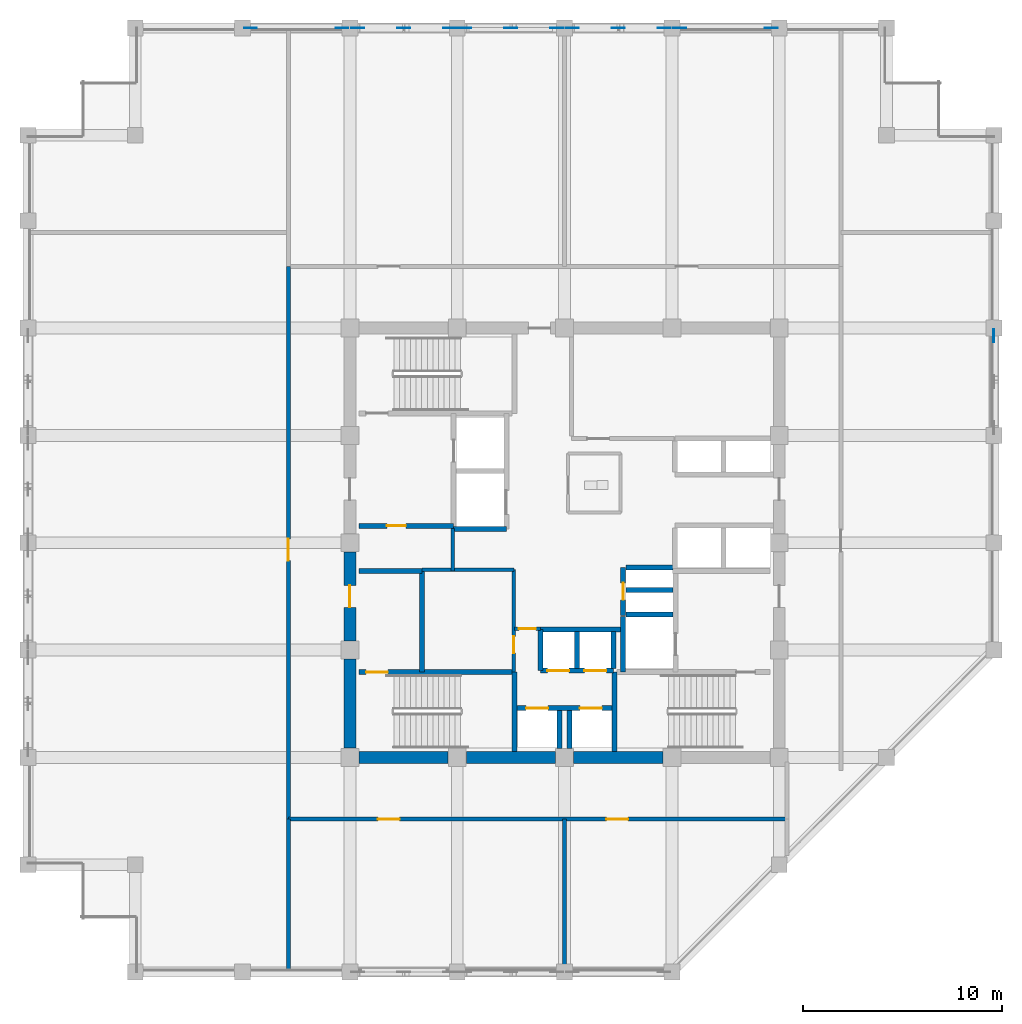
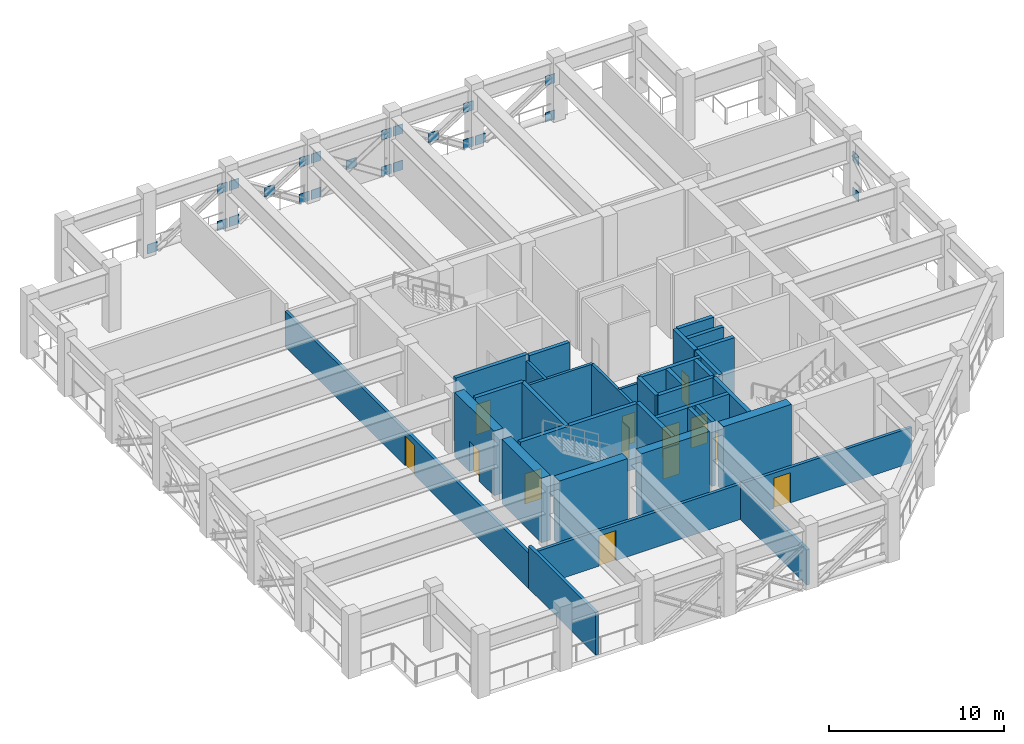
# One storey, part 4 of 11: 33 walls, 23 plates, 13 doors, 13 openings.
"""IFC4 building model written with IfcOpenShell, lengths in metres."""

from ifc_helpers import new_model, si_unit, direction, frame, frame_2d, origin, origin_2d, place, context, subcontext, project, spatial, rectangle, extrude, material, layer, layer_set, type_object, element, fill, save


model = new_model("IFC4")

# Units and contexts
model_context = context("Model", 3, precision=1e-05, world=origin(), true_north=direction((0.0, 1.0)))
body_context = subcontext(model_context, "Body", "Model", "MODEL_VIEW")
ifc_project = project(units=[si_unit("LENGTHUNIT", "METRE"), si_unit("AREAUNIT", "SQUARE_METRE"), si_unit("VOLUMEUNIT", "CUBIC_METRE"), si_unit("PLANEANGLEUNIT", "RADIAN"), si_unit("MASSUNIT", "GRAM", prefix="KILO")], contexts=[model_context])

# Site, building, storey
site_placement = place(None, origin())
site = spatial("IfcSite", under=ifc_project, at=site_placement, CompositionType="ELEMENT")
building_placement = place(site_placement, origin())
building = spatial("IfcBuilding", under=site, at=building_placement, Name="Surkhivell Harbour Commons", CompositionType="ELEMENT")
storey_placement = place(building_placement, frame((0.0, 0.0, 254.25)))
storey = spatial("IfcBuildingStorey", under=building, at=storey_placement, Name="L66", CompositionType="ELEMENT", Elevation=254.25)

# Plates
ifc_material_1 = material(Name="Steel S460", Category="steel")
ifc_layer_1 = layer(ifc_material_1, 0.044921875)
ifc_layer_set_1 = layer_set([ifc_layer_1], Name="Steel S460")
plate_type = type_object("IfcPlateType", Name="PLT-GUS-650", PredefinedType="USERDEFINED", material=ifc_layer_set_1)
for number, where, z_axis, x_axis, name in (
    (1, (-5.014892578125, 25.89990234375, -0.08935546875), (0.0, 0.0, 1.0), (1.0, 0.0, 0.0), "L66 Belt-Truss Diagonal BT- Corner Gusset BN1-1"),
    (2, (-0.385009765625, 25.89990234375, -0.08935546875), (0.0, 0.0, 1.0), (1.0, 0.0, 0.0), "L66 Belt-Truss Diagonal BT- Corner Gusset BN1-2"),
    (3, (-5.014892578125, 25.89990234375, 2.431640625), (0.0, 0.0, 1.0), (1.0, 0.0, 0.0), "L66 Belt-Truss Diagonal BT- Corner Gusset BN1-3"),
    (4, (-0.385009765625, 25.89990234375, 2.431640625), (0.0, 0.0, 1.0), (1.0, 0.0, 0.0), "L66 Belt-Truss Diagonal BT- Corner Gusset BN1-4"),
    (5, (-2.699951171875, 25.89990234375, 1.171142578125), (0.0, 0.0, 1.0), (1.0, 0.0, 0.0), "L66 Belt-Truss Diagonal BT- Central Crossing Gusset BN1"),
    (6, (0.385009765625, 25.89990234375, -0.08935546875), (0.0, 0.0, 1.0), (1.0, 0.0, 0.0), "L66 Belt-Truss Diagonal BT- Corner Gusset BN2-1"),
    (7, (5.014892578125, 25.89990234375, -0.08935546875), (0.0, 0.0, 1.0), (1.0, 0.0, 0.0), "L66 Belt-Truss Diagonal BT- Corner Gusset BN2-2"),
    (8, (0.385009765625, 25.89990234375, 2.431640625), (0.0, 0.0, 1.0), (1.0, 0.0, 0.0), "L66 Belt-Truss Diagonal BT- Corner Gusset BN2-3"),
    (9, (5.014892578125, 25.89990234375, 2.431640625), (0.0, 0.0, 1.0), (1.0, 0.0, 0.0), "L66 Belt-Truss Diagonal BT- Corner Gusset BN2-4"),
    (10, (2.699951171875, 25.89990234375, 1.171142578125), (0.0, 0.0, 1.0), (1.0, 0.0, 0.0), "L66 Belt-Truss Diagonal BT- Central Crossing Gusset BN2"),
    (11, (21.60009765625, 10.4150390625, -0.08935546875), (0.0, 0.0, 1.0), (0.0, 1.0, 0.0), "L66 Belt-Truss Diagonal BT- Corner Gusset BE1-2"),
    (12, (21.60009765625, 10.4150390625, 2.431640625), (0.0, 0.0, 1.0), (0.0, 1.0, 0.0), "L66 Belt-Truss Diagonal BT- Corner Gusset BE1-4"),
    (13, (-10.4150390625, 25.89990234375, -0.08935546875), (0.0, 0.0, 1.0), (1.0, 0.0, 0.0), "L66 Belt-Truss Diagonal BT- Corner Gusset BN3-1"),
    (14, (-5.784912109375, 25.89990234375, -0.08935546875), (0.0, 0.0, 1.0), (1.0, 0.0, 0.0), "L66 Belt-Truss Diagonal BT- Corner Gusset BN3-2"),
    (15, (-10.4150390625, 25.89990234375, 2.431640625), (0.0, 0.0, 1.0), (1.0, 0.0, 0.0), "L66 Belt-Truss Diagonal BT- Corner Gusset BN3-3"),
    (16, (-5.784912109375, 25.89990234375, 2.431640625), (0.0, 0.0, 1.0), (1.0, 0.0, 0.0), "L66 Belt-Truss Diagonal BT- Corner Gusset BN3-4"),
    (17, (-8.10009765625, 25.89990234375, 1.171142578125), (0.0, 0.0, 1.0), (1.0, 0.0, 0.0), "L66 Belt-Truss Diagonal BT- Central Crossing Gusset BN3"),
    (18, (-15.802001953125, 25.89990234375, -0.094970703125), (0.0, 0.0, 1.0), (1.0, 0.0, 0.0), "L66 Outrigger Node Gusset Plate GP-02-1"),
    (19, (-11.197998046875, 25.89990234375, -0.094970703125), (0.0, 0.0, 1.0), (1.0, 0.0, 0.0), "L66 Outrigger Node Gusset Plate GP-02-2"),
    (20, (-11.197998046875, 25.89990234375, 2.441162109375), (0.0, 0.0, 1.0), (1.0, 0.0, 0.0), "L66 Outrigger Top Gusset Plate GP-02-3"),
    (21, (5.798095703125, 25.89990234375, -0.094970703125), (0.0, 0.0, 1.0), (1.0, 0.0, 0.0), "L66 Outrigger Node Gusset Plate GP-04-1"),
    (22, (10.402099609375, 25.89990234375, -0.094970703125), (0.0, 0.0, 1.0), (1.0, 0.0, 0.0), "L66 Outrigger Node Gusset Plate GP-04-2"),
    (23, (10.402099609375, 25.89990234375, 2.441162109375), (0.0, 0.0, 1.0), (1.0, 0.0, 0.0), "L66 Outrigger Top Gusset Plate GP-04-3"),
):
    element("IfcPlate", number, at=place(storey_placement, frame(where, z_axis=z_axis, x_axis=x_axis)), inside=storey, type_object=plate_type, Name=name, ObjectType="GUSSET_PLATE", PredefinedType="USERDEFINED", context=body_context, shape_type="SweptSolid", body=[
        extrude(rectangle(XDim=0.64990234375, YDim=0.044921875, at=origin_2d()), origin(), (0.0, 0.0, 1.0), 0.64990234375),
    ])

# Walls
ifc_material_2 = material(Name="Concrete C60/75", Category="concrete")
ifc_layer_2 = layer(ifc_material_2, 0.60009765625)
ifc_layer_set_2 = layer_set([ifc_layer_2], Name="Concrete C60/75")
wall_type_1 = type_object("IfcWallType", Name="WAL-CORE-600", PredefinedType="SHEAR", material=ifc_layer_set_2)
for number, where, z_axis, x_axis, name in (
    (24, (-10.340087890625, -10.800048828125, 0.0), (0.0, 0.0, 1.0), (1.0, 0.0, 0.0), "L66 Core Shear Wall South 1"),
    (25, (-10.800048828125, -10.340087890625, 0.0), (0.0, 0.0, 1.0), (0.0, 1.0, 0.0), "L66 Core Shear Wall West 1"),
    (26, (-4.93994140625, -10.800048828125, 0.0), (0.0, 0.0, 1.0), (1.0, 0.0, 0.0), "L66 Core Shear Wall South 2"),
):
    element("IfcWall", number, at=place(storey_placement, frame(where, z_axis=z_axis, x_axis=x_axis)), inside=storey, type_object=wall_type_1, Name=name, PredefinedType="SHEAR", context=body_context, shape_type="SweptSolid", body=[
        extrude(rectangle(XDim=4.47998046875, YDim=0.60009765625, at=frame_2d((2.239990234375, 0.0))), origin(), (0.0, 0.0, 1.0), 4.5),
    ])

# Wall, opening, door
wall_1_placement = place(storey_placement, frame((-10.800048828125, -4.93994140625, 0.0), z_axis=(0.0, 0.0, 1.0), x_axis=(0.0, 1.0, 0.0)))
wall_1 = element("IfcWall", 27, at=wall_1_placement, inside=storey, type_object=wall_type_1, Name="L66 Core Shear Wall West 2", PredefinedType="SHEAR", context=body_context, shape_type="SweptSolid", body=[
    extrude(rectangle(XDim=4.47998046875, YDim=0.60009765625, at=frame_2d((2.239990234375, 0.0))), origin(), (0.0, 0.0, 1.0), 4.5),
])
opening_1_placement = place(wall_1_placement, frame((1.68994140625, 0.0, 0.0)))
opening_1 = element("IfcOpeningElement", 28, at=opening_1_placement, cuts=wall_1, Name="Opening ID-2", PredefinedType="OPENING", context=body_context, shape_type="SweptSolid", body=[
    extrude(rectangle(XDim=1.10009765625, YDim=2.10009765625, at=frame_2d((0.550048828125, 1.050048828125))), frame((0.0, 0.31005859375, 0.0), z_axis=(0.0, -1.0, 0.0), x_axis=(1.0, 0.0, 0.0)), (0.0, 0.0, 1.0), 0.6201171875),
])
ifc_material_3 = material(Name="Hardwood-veneered fire-rated door leaf", Category="wood")
door_type_1 = type_object("IfcDoorType", Name="DOR-FD60-1100", OperationType="NOTDEFINED", PredefinedType="DOOR", material=ifc_material_3)
door_1_placement = place(opening_1_placement, origin())
door_1 = element("IfcDoor", 29, at=door_1_placement, inside=storey, type_object=door_type_1, Name="L66 Stair 3 Lobby Corridor Door", OperationType="SINGLE_SWING_LEFT", OverallHeight=2.10009765625, OverallWidth=1.10009765625, PredefinedType="DOOR", context=body_context, shape_type="SweptSolid", body=[
    extrude(rectangle(XDim=1.10009765625, YDim=2.10009765625, at=frame_2d((0.550048828125, 1.050048828125))), frame((0.0, 0.02490234375, 0.0), z_axis=(0.0, -1.0, 0.0), x_axis=(1.0, 0.0, 0.0)), (0.0, 0.0, 1.0), 0.050048828125),
])
fill(opening_1, door_1)

# Wall
wall_2_placement = place(storey_placement, frame((0.4599609375, -10.800048828125, 0.0), z_axis=(0.0, 0.0, 1.0), x_axis=(1.0, 0.0, 0.0)))
element("IfcWall", 30, at=wall_2_placement, inside=storey, type_object=wall_type_1, Name="L66 Core Shear Wall South 3", PredefinedType="SHEAR", context=body_context, shape_type="SweptSolid", body=[
    extrude(rectangle(XDim=4.47998046875, YDim=0.60009765625, at=frame_2d((2.239990234375, 0.0))), origin(), (0.0, 0.0, 1.0), 4.5),
])

# Wall, opening, door
ifc_material_4 = material(Name="High-density acoustic blockwork fire partition", Category="masonry")
ifc_layer_3 = layer(ifc_material_4, 0.175048828125)
ifc_layer_set_3 = layer_set([ifc_layer_3], Name="High-density acoustic blockwork fire partition")
wall_type_2 = type_object("IfcWallType", Name="WAL-INT-175", PredefinedType="PARTITIONING", material=ifc_layer_set_3)
wall_3_placement = place(storey_placement, frame((-2.550048828125, -6.510009765625, 0.0), z_axis=(0.0, 0.0, 1.0), x_axis=(0.0, 1.0, 0.0)))
wall_3 = element("IfcWall", 31, at=wall_3_placement, inside=storey, type_object=wall_type_2, Name="L66 Core Service Bay East Wall", PredefinedType="PARTITIONING", context=body_context, shape_type="SweptSolid", body=[
    extrude(rectangle(XDim=5.159912109375, YDim=0.175048828125, at=frame_2d((2.580078125, 0.0))), origin(), (0.0, 0.0, 1.0), 4.080078125),
])
opening_2_placement = place(wall_3_placement, frame((0.949951171875, 0.0, 0.0)))
opening_2 = element("IfcOpeningElement", 32, at=opening_2_placement, cuts=wall_3, Name="Opening ID-6", PredefinedType="OPENING", context=body_context, shape_type="SweptSolid", body=[
    extrude(rectangle(XDim=0.85009765625, YDim=2.10009765625, at=frame_2d((0.425048828125, 1.050048828125))), frame((0.0, 0.097412109375, 0.0), z_axis=(0.0, -1.0, 0.0), x_axis=(1.0, 0.0, 0.0)), (0.0, 0.0, 1.0), 0.195068359375),
])
door_type_2 = type_object("IfcDoorType", Name="DOR-FD30-850", OperationType="NOTDEFINED", PredefinedType="DOOR", material=ifc_material_3)
door_2_placement = place(opening_2_placement, origin())
door_2 = element("IfcDoor", 33, at=door_2_placement, inside=storey, type_object=door_type_2, Name="L66 Core Metering Door", OperationType="SINGLE_SWING_LEFT", OverallHeight=2.10009765625, OverallWidth=0.85009765625, PredefinedType="DOOR", context=body_context, shape_type="SweptSolid", body=[
    extrude(rectangle(XDim=0.85009765625, YDim=2.10009765625, at=frame_2d((0.425048828125, 1.050048828125))), frame((0.0, 0.02490234375, 0.0), z_axis=(0.0, -1.0, 0.0), x_axis=(1.0, 0.0, 0.0)), (0.0, 0.0, 1.0), 0.050048828125),
])
fill(opening_2, door_2)

# Walls
wall_4_placement = place(storey_placement, frame((-7.179931640625, -1.35009765625, 0.0), z_axis=(0.0, 0.0, 1.0), x_axis=(1.0, 0.0, 0.0)))
element("IfcWall", 34, at=wall_4_placement, inside=storey, type_object=wall_type_2, Name="L66 Core Service Bay North Wall", PredefinedType="PARTITIONING", context=body_context, shape_type="SweptSolid", body=[
    extrude(rectangle(XDim=4.6298828125, YDim=0.175048828125, at=frame_2d((2.31494140625, 0.0))), origin(), (0.0, 0.0, 1.0), 4.080078125),
])
wall_5_placement = place(storey_placement, frame((-5.6201171875, -1.419921875, 0.0), z_axis=(0.0, 0.0, 1.0), x_axis=(0.0, 1.0, 0.0)))
element("IfcWall", 35, at=wall_5_placement, inside=storey, type_object=wall_type_2, Name="L66 West Core Bay East Wall", PredefinedType="PARTITIONING", context=body_context, shape_type="SweptSolid", body=[
    extrude(rectangle(XDim=2.139892578125, YDim=0.175048828125, at=frame_2d((1.06982421875, 0.0))), origin(), (0.0, 0.0, 1.0), 4.080078125),
])

# Wall, opening, door
wall_6_placement = place(storey_placement, frame((-2.52001953125, -4.320068359375, 0.0), z_axis=(0.0, 0.0, 1.0), x_axis=(1.0, 0.0, 0.0)))
wall_6 = element("IfcWall", 36, at=wall_6_placement, inside=storey, type_object=wall_type_2, Name="L66 High-Rise Lobby North Portal Wall", PredefinedType="PARTITIONING", context=body_context, shape_type="SweptSolid", body=[
    extrude(rectangle(XDim=1.300048828125, YDim=0.175048828125, at=frame_2d((0.64990234375, 0.0))), origin(), (0.0, 0.0, 1.0), 4.080078125),
])
opening_3_placement = place(wall_6_placement, frame((0.219970703125, 0.0, 0.0)))
opening_3 = element("IfcOpeningElement", 37, at=opening_3_placement, cuts=wall_6, Name="Opening ID-6", PredefinedType="OPENING", context=body_context, shape_type="SweptSolid", body=[
    extrude(rectangle(XDim=0.85009765625, YDim=2.10009765625, at=frame_2d((0.425048828125, 1.050048828125))), frame((0.0, 0.097412109375, 0.0), z_axis=(0.0, -1.0, 0.0), x_axis=(1.0, 0.0, 0.0)), (0.0, 0.0, 1.0), 0.195068359375),
])
door_3_placement = place(opening_3_placement, origin())
door_3 = element("IfcDoor", 38, at=door_3_placement, inside=storey, type_object=door_type_2, Name="L66 High-Rise Lift Lobby North Door", OperationType="SINGLE_SWING_LEFT", OverallHeight=2.10009765625, OverallWidth=0.85009765625, PredefinedType="DOOR", context=body_context, shape_type="SweptSolid", body=[
    extrude(rectangle(XDim=0.85009765625, YDim=2.10009765625, at=frame_2d((0.425048828125, 1.050048828125))), frame((0.0, 0.02490234375, 0.0), z_axis=(0.0, -1.0, 0.0), x_axis=(1.0, 0.0, 0.0)), (0.0, 0.0, 1.0), 0.050048828125),
])
fill(opening_3, door_3)

# Wall
ifc_material_5 = material(Name="Autoclaved aerated concrete blockwork and fire plaster", Category="masonry")
ifc_layer_4 = layer(ifc_material_5, 0.199951171875)
ifc_layer_set_4 = layer_set([ifc_layer_4], Name="Autoclaved aerated concrete blockwork and fire plaster")
wall_type_3 = type_object("IfcWallType", Name="WAL-INT-200", PredefinedType="PARTITIONING", material=ifc_layer_set_4)
wall_7_placement = place(storey_placement, frame((0.0, -21.56005859375, 0.0), z_axis=(0.0, 0.0, 1.0), x_axis=(0.0, 1.0, 0.0)))
element("IfcWall", 39, at=wall_7_placement, inside=storey, type_object=wall_type_3, Name="L66 Refuge South Plant Divider", PredefinedType="PARTITIONING", context=body_context, shape_type="SweptSolid", body=[
    extrude(rectangle(XDim=7.66015625, YDim=0.199951171875, at=frame_2d((3.830078125, 0.0))), origin(), (0.0, 0.0, 1.0), 2.4599609375),
])

# Wall, openings, doors
wall_8_placement = place(storey_placement, frame((-13.89990234375, -13.89990234375, 0.0), z_axis=(0.0, 0.0, 1.0), x_axis=(1.0, 0.0, 0.0)))
wall_8 = element("IfcWall", 40, at=wall_8_placement, inside=storey, type_object=wall_type_3, Name="L66 Corridor South Wall", PredefinedType="PARTITIONING", context=body_context, shape_type="SweptSolid", body=[
    extrude(rectangle(XDim=25.099853515625, YDim=0.199951171875, at=frame_2d((12.5498046875, 0.0))), origin(), (0.0, 0.0, 1.0), 2.4599609375),
])
opening_4_placement = place(wall_8_placement, frame((4.5, 0.0, 0.0)))
opening_4 = element("IfcOpeningElement", 41, at=opening_4_placement, cuts=wall_8, Name="Opening ID-2", PredefinedType="OPENING", context=body_context, shape_type="SweptSolid", body=[
    extrude(rectangle(XDim=1.10009765625, YDim=2.10009765625, at=frame_2d((0.550048828125, 1.050048828125))), frame((0.0, 0.10986328125, 0.0), z_axis=(0.0, -1.0, 0.0), x_axis=(1.0, 0.0, 0.0)), (0.0, 0.0, 1.0), 0.219970703125),
])
opening_5_placement = place(wall_8_placement, frame((16.0, 0.0, 0.0)))
opening_5 = element("IfcOpeningElement", 42, at=opening_5_placement, cuts=wall_8, Name="Opening ID-2", PredefinedType="OPENING", context=body_context, shape_type="SweptSolid", body=[
    extrude(rectangle(XDim=1.10009765625, YDim=2.10009765625, at=frame_2d((0.550048828125, 1.050048828125))), frame((0.0, 0.10986328125, 0.0), z_axis=(0.0, -1.0, 0.0), x_axis=(1.0, 0.0, 0.0)), (0.0, 0.0, 1.0), 0.219970703125),
])
door_4_placement = place(opening_4_placement, origin())
door_4 = element("IfcDoor", 43, at=door_4_placement, inside=storey, type_object=door_type_1, Name="L66 Transfer Fire and Potable Booster Pump Room Door", OperationType="SINGLE_SWING_RIGHT", OverallHeight=2.10009765625, OverallWidth=1.10009765625, PredefinedType="DOOR", context=body_context, shape_type="SweptSolid", body=[
    extrude(rectangle(XDim=1.10009765625, YDim=2.10009765625, at=frame_2d((0.550048828125, 1.050048828125))), frame((0.0, 0.02490234375, 0.0), z_axis=(0.0, -1.0, 0.0), x_axis=(1.0, 0.0, 0.0)), (0.0, 0.0, 1.0), 0.050048828125),
])
fill(opening_4, door_4)
door_5_placement = place(opening_5_placement, origin())
door_5 = element("IfcDoor", 44, at=door_5_placement, inside=storey, type_object=door_type_1, Name="L66 Zone Electrical Switchgear Plant Room Door", OperationType="SINGLE_SWING_LEFT", OverallHeight=2.10009765625, OverallWidth=1.10009765625, PredefinedType="DOOR", context=body_context, shape_type="SweptSolid", body=[
    extrude(rectangle(XDim=1.10009765625, YDim=2.10009765625, at=frame_2d((0.550048828125, 1.050048828125))), frame((0.0, 0.02490234375, 0.0), z_axis=(0.0, -1.0, 0.0), x_axis=(1.0, 0.0, 0.0)), (0.0, 0.0, 1.0), 0.050048828125),
])
fill(opening_5, door_5)

# Wall
wall_9_placement = place(storey_placement, frame((-13.89990234375, -21.56005859375, 0.0), z_axis=(0.0, 0.0, 1.0), x_axis=(0.0, 1.0, 0.0)))
element("IfcWall", 45, at=wall_9_placement, inside=storey, type_object=wall_type_3, Name="L66 Corner SW Divider", PredefinedType="PARTITIONING", context=body_context, shape_type="SweptSolid", body=[
    extrude(rectangle(XDim=7.66015625, YDim=0.199951171875, at=frame_2d((3.830078125, 0.0))), origin(), (0.0, 0.0, 1.0), 2.9599609375),
])

# Wall, opening, door
wall_10_placement = place(storey_placement, frame((-13.89990234375, -13.89990234375, 0.0), z_axis=(0.0, 0.0, 1.0), x_axis=(0.0, 1.0, 0.0)))
wall_10 = element("IfcWall", 46, at=wall_10_placement, inside=storey, type_object=wall_type_3, Name="L66 Corridor West Wall", PredefinedType="PARTITIONING", context=body_context, shape_type="SweptSolid", body=[
    extrude(rectangle(XDim=27.7998046875, YDim=0.199951171875, at=frame_2d((13.89990234375, 0.0))), origin(), (0.0, 0.0, 1.0), 2.4599609375),
])
opening_6_placement = place(wall_10_placement, frame((13.0, 0.0, 0.0)))
opening_6 = element("IfcOpeningElement", 47, at=opening_6_placement, cuts=wall_10, Name="Opening ID-2", PredefinedType="OPENING", context=body_context, shape_type="SweptSolid", body=[
    extrude(rectangle(XDim=1.10009765625, YDim=2.10009765625, at=frame_2d((0.550048828125, 1.050048828125))), frame((0.0, 0.10986328125, 0.0), z_axis=(0.0, -1.0, 0.0), x_axis=(1.0, 0.0, 0.0)), (0.0, 0.0, 1.0), 0.219970703125),
])
door_6_placement = place(opening_6_placement, origin())
door_6 = element("IfcDoor", 48, at=door_6_placement, inside=storey, type_object=door_type_1, Name="L66 West Open Refuge Area Door", OperationType="SINGLE_SWING_RIGHT", OverallHeight=2.10009765625, OverallWidth=1.10009765625, PredefinedType="DOOR", context=body_context, shape_type="SweptSolid", body=[
    extrude(rectangle(XDim=1.10009765625, YDim=2.10009765625, at=frame_2d((0.550048828125, 1.050048828125))), frame((0.0, 0.02490234375, 0.0), z_axis=(0.0, -1.0, 0.0), x_axis=(1.0, 0.0, 0.0)), (0.0, 0.0, 1.0), 0.050048828125),
])
fill(opening_6, door_6)

ifc_material_6 = material(Name="Concrete C50/60", Category="concrete")
ifc_layer_5 = layer(ifc_material_6, 0.25)
ifc_layer_set_5 = layer_set([ifc_layer_5], Name="Concrete C50/60")
wall_type_4 = type_object("IfcWallType", Name="WAL-SHAFT-250", PredefinedType="SHEAR", material=ifc_layer_set_5)
wall_11_placement = place(storey_placement, frame((-10.340087890625, 0.85009765625, 0.0), z_axis=(0.0, 0.0, 1.0), x_axis=(1.0, 0.0, 0.0)))
wall_11 = element("IfcWall", 49, at=wall_11_placement, inside=storey, type_object=wall_type_4, Name="L66 Firefighting Lobby 1 South Wall", PredefinedType="SHEAR", context=body_context, shape_type="SweptSolid", body=[
    extrude(rectangle(XDim=4.760009765625, YDim=0.25, at=frame_2d((2.3798828125, 0.0))), origin(), (0.0, 0.0, 1.0), 4.5),
])
opening_7_placement = place(wall_11_placement, frame((1.39990234375, 0.0, 0.0)))
opening_7 = element("IfcOpeningElement", 50, at=opening_7_placement, cuts=wall_11, Name="Opening ID-4", PredefinedType="OPENING", context=body_context, shape_type="SweptSolid", body=[
    extrude(rectangle(XDim=0.949951171875, YDim=2.10009765625, at=frame_2d((0.47509765625, 1.050048828125))), frame((0.0, 0.135009765625, 0.0), z_axis=(0.0, -1.0, 0.0), x_axis=(1.0, 0.0, 0.0)), (0.0, 0.0, 1.0), 0.27001953125),
])
door_type_3 = type_object("IfcDoorType", Name="DOR-FD60-950", OperationType="NOTDEFINED", PredefinedType="DOOR", material=ifc_material_3)
door_7_placement = place(opening_7_placement, origin())
door_7 = element("IfcDoor", 51, at=door_7_placement, inside=storey, type_object=door_type_3, Name="L66 Core BMS Room Door", OperationType="SINGLE_SWING_RIGHT", OverallHeight=2.10009765625, OverallWidth=0.949951171875, PredefinedType="DOOR", context=body_context, shape_type="SweptSolid", body=[
    extrude(rectangle(XDim=0.949951171875, YDim=2.10009765625, at=frame_2d((0.47509765625, 1.050048828125))), frame((0.0, 0.02490234375, 0.0), z_axis=(0.0, -1.0, 0.0), x_axis=(1.0, 0.0, 0.0)), (0.0, 0.0, 1.0), 0.050048828125),
])
fill(opening_7, door_7)

# Walls
wall_12_placement = place(storey_placement, frame((2.929931640625, -6.510009765625, 0.0), z_axis=(0.0, 0.0, 1.0), x_axis=(0.0, 1.0, 0.0)))
element("IfcWall", 52, at=wall_12_placement, inside=storey, type_object=wall_type_4, Name="L66 FFL2 West Shaft Wall", PredefinedType="SHEAR", context=body_context, shape_type="SweptSolid", body=[
    extrude(rectangle(XDim=2.7900390625, YDim=0.25, at=frame_2d((1.39501953125, 0.0))), origin(), (0.0, 0.0, 1.0), 4.5),
])
wall_13_placement = place(storey_placement, frame((3.080078125, -3.60009765625, 0.0), z_axis=(0.0, 0.0, 1.0), x_axis=(1.0, 0.0, 0.0)))
element("IfcWall", 53, at=wall_13_placement, inside=storey, type_object=wall_type_4, Name="L66 FFL2 North Shaft Wall", PredefinedType="SHEAR", context=body_context, shape_type="SweptSolid", body=[
    extrude(rectangle(XDim=2.369873046875, YDim=0.25, at=frame_2d((1.18505859375, 0.0))), origin(), (0.0, 0.0, 1.0), 4.5),
])
for number, where, z_axis, x_axis, name in (
    (54, (0.6201171875, -6.340087890625, 0.0), (0.0, 0.0, 1.0), (0.0, 1.0, 0.0), "L66 High-Rise Side Wall N"),
    (55, (2.449951171875, -6.340087890625, 0.0), (0.0, 0.0, 1.0), (0.0, 1.0, 0.0), "L66 High-Rise Side Wall N"),
):
    element("IfcWall", number, at=place(storey_placement, frame(where, z_axis=z_axis, x_axis=x_axis)), inside=storey, type_object=wall_type_4, Name=name, PredefinedType="SHEAR", context=body_context, shape_type="SweptSolid", body=[
        extrude(rectangle(XDim=1.880126953125, YDim=0.25, at=frame_2d((0.93994140625, 0.0))), origin(), (0.0, 0.0, 1.0), 4.5),
    ])
for number, where, z_axis, x_axis, name in (
    (56, (-0.25, -10.35009765625, 0.0), (0.0, 0.0, 1.0), (0.0, 1.0, 0.0), "L66 High-Rise Side Wall S"),
    (57, (0.25, -10.35009765625, 0.0), (0.0, 0.0, 1.0), (0.0, 1.0, 0.0), "L66 High-Rise Side Wall S"),
):
    element("IfcWall", number, at=place(storey_placement, frame(where, z_axis=z_axis, x_axis=x_axis)), inside=storey, type_object=wall_type_4, Name=name, PredefinedType="SHEAR", context=body_context, shape_type="SweptSolid", body=[
        extrude(rectangle(XDim=1.91015625, YDim=0.25, at=frame_2d((0.955078125, 0.0))), origin(), (0.0, 0.0, 1.0), 4.5),
    ])
wall_14_placement = place(storey_placement, frame((-1.219970703125, -6.43994140625, 0.0), z_axis=(0.0, 0.0, 1.0), x_axis=(0.0, 1.0, 0.0)))
element("IfcWall", 58, at=wall_14_placement, inside=storey, type_object=wall_type_4, Name="L66 High-Rise Passage East Shaft Wall", PredefinedType="SHEAR", context=body_context, shape_type="SweptSolid", body=[
    extrude(rectangle(XDim=2.079833984375, YDim=0.25, at=frame_2d((1.0400390625, 0.0))), origin(), (0.0, 0.0, 1.0), 4.5),
])

# Wall, openings, doors
wall_15_placement = place(storey_placement, frame((-1.219970703125, -6.43994140625, 0.0), z_axis=(0.0, 0.0, 1.0), x_axis=(1.0, 0.0, 0.0)))
wall_15 = element("IfcWall", 59, at=wall_15_placement, inside=storey, type_object=wall_type_4, Name="L66 High-Rise North Front Shaft Wall", PredefinedType="SHEAR", context=body_context, shape_type="SweptSolid", body=[
    extrude(rectangle(XDim=3.669921875, YDim=0.25, at=frame_2d((1.8349609375, 0.0))), origin(), (0.0, 0.0, 1.0), 4.5),
])
opening_8_placement = place(wall_15_placement, frame((0.35009765625, 0.0, 0.0)))
opening_8 = element("IfcOpeningElement", 60, at=opening_8_placement, cuts=wall_15, Name="Opening LD-1", PredefinedType="OPENING", context=body_context, shape_type="SweptSolid", body=[
    extrude(rectangle(XDim=1.10009765625, YDim=2.10009765625, at=frame_2d((0.550048828125, 1.050048828125))), frame((0.0, 0.135009765625, 0.0), z_axis=(0.0, -1.0, 0.0), x_axis=(1.0, 0.0, 0.0)), (0.0, 0.0, 1.0), 0.27001953125),
])
opening_9_placement = place(wall_15_placement, frame((2.219970703125, 0.0, 0.0)))
opening_9 = element("IfcOpeningElement", 61, at=opening_9_placement, cuts=wall_15, Name="Opening LD-1", PredefinedType="OPENING", context=body_context, shape_type="SweptSolid", body=[
    extrude(rectangle(XDim=1.10009765625, YDim=2.10009765625, at=frame_2d((0.550048828125, 1.050048828125))), frame((0.0, 0.135009765625, 0.0), z_axis=(0.0, -1.0, 0.0), x_axis=(1.0, 0.0, 0.0)), (0.0, 0.0, 1.0), 0.27001953125),
])
ifc_material_7 = material(Name="Brushed stainless steel S355", Category="steel")
door_type_4 = type_object("IfcDoorType", Name="DOR-LD-1100", OperationType="SLIDING_TO_LEFT", PredefinedType="DOOR", material=ifc_material_7)
door_8_placement = place(opening_8_placement, origin())
door_8 = element("IfcDoor", 62, at=door_8_placement, inside=storey, type_object=door_type_4, Name="L66 Lift Landing Door LD-PH1", OperationType="SLIDING_TO_LEFT", OverallHeight=2.10009765625, OverallWidth=1.10009765625, PredefinedType="DOOR", context=body_context, shape_type="SweptSolid", body=[
    extrude(rectangle(XDim=1.10009765625, YDim=2.10009765625, at=frame_2d((0.550048828125, 1.050048828125))), frame((0.0, 0.02490234375, 0.0), z_axis=(0.0, -1.0, 0.0), x_axis=(1.0, 0.0, 0.0)), (0.0, 0.0, 1.0), 0.050048828125),
])
fill(opening_8, door_8)
door_9_placement = place(opening_9_placement, origin())
door_9 = element("IfcDoor", 63, at=door_9_placement, inside=storey, type_object=door_type_4, Name="L66 Lift Landing Door LD-PH2", OperationType="SLIDING_TO_LEFT", OverallHeight=2.10009765625, OverallWidth=1.10009765625, PredefinedType="DOOR", context=body_context, shape_type="SweptSolid", body=[
    extrude(rectangle(XDim=1.10009765625, YDim=2.10009765625, at=frame_2d((0.550048828125, 1.050048828125))), frame((0.0, 0.02490234375, 0.0), z_axis=(0.0, -1.0, 0.0), x_axis=(1.0, 0.0, 0.0)), (0.0, 0.0, 1.0), 0.050048828125),
])
fill(opening_9, door_9)

wall_16_placement = place(storey_placement, frame((-2.47998046875, -8.320068359375, 0.0), z_axis=(0.0, 0.0, 1.0), x_axis=(1.0, 0.0, 0.0)))
wall_16 = element("IfcWall", 64, at=wall_16_placement, inside=storey, type_object=wall_type_4, Name="L66 High-Rise South Front Shaft Wall", PredefinedType="SHEAR", context=body_context, shape_type="SweptSolid", body=[
    extrude(rectangle(XDim=4.929931640625, YDim=0.25, at=frame_2d((2.46484375, 0.0))), origin(), (0.0, 0.0, 1.0), 4.5),
])
opening_10_placement = place(wall_16_placement, frame((0.550048828125, 0.0, 0.0)))
opening_10 = element("IfcOpeningElement", 65, at=opening_10_placement, cuts=wall_16, Name="Opening LD-1", PredefinedType="OPENING", context=body_context, shape_type="SweptSolid", body=[
    extrude(rectangle(XDim=1.10009765625, YDim=2.10009765625, at=frame_2d((0.550048828125, 1.050048828125))), frame((0.0, 0.135009765625, 0.0), z_axis=(0.0, -1.0, 0.0), x_axis=(1.0, 0.0, 0.0)), (0.0, 0.0, 1.0), 0.27001953125),
])
opening_11_placement = place(wall_16_placement, frame((3.25, 0.0, 0.0)))
opening_11 = element("IfcOpeningElement", 66, at=opening_11_placement, cuts=wall_16, Name="Opening LD-1", PredefinedType="OPENING", context=body_context, shape_type="SweptSolid", body=[
    extrude(rectangle(XDim=1.10009765625, YDim=2.10009765625, at=frame_2d((0.550048828125, 1.050048828125))), frame((0.0, 0.135009765625, 0.0), z_axis=(0.0, -1.0, 0.0), x_axis=(1.0, 0.0, 0.0)), (0.0, 0.0, 1.0), 0.27001953125),
])
door_10_placement = place(opening_10_placement, origin())
door_10 = element("IfcDoor", 67, at=door_10_placement, inside=storey, type_object=door_type_4, Name="L66 Lift Landing Door LD-PH3", OperationType="SLIDING_TO_LEFT", OverallHeight=2.10009765625, OverallWidth=1.10009765625, PredefinedType="DOOR", context=body_context, shape_type="SweptSolid", body=[
    extrude(rectangle(XDim=1.10009765625, YDim=2.10009765625, at=frame_2d((0.550048828125, 1.050048828125))), frame((0.0, 0.02490234375, 0.0), z_axis=(0.0, -1.0, 0.0), x_axis=(1.0, 0.0, 0.0)), (0.0, 0.0, 1.0), 0.050048828125),
])
fill(opening_10, door_10)
door_11_placement = place(opening_11_placement, origin())
door_11 = element("IfcDoor", 68, at=door_11_placement, inside=storey, type_object=door_type_4, Name="L66 Lift Landing Door LD-PH4", OperationType="SLIDING_TO_LEFT", OverallHeight=2.10009765625, OverallWidth=1.10009765625, PredefinedType="DOOR", context=body_context, shape_type="SweptSolid", body=[
    extrude(rectangle(XDim=1.10009765625, YDim=2.10009765625, at=frame_2d((0.550048828125, 1.050048828125))), frame((0.0, 0.02490234375, 0.0), z_axis=(0.0, -1.0, 0.0), x_axis=(1.0, 0.0, 0.0)), (0.0, 0.0, 1.0), 0.050048828125),
])
fill(opening_11, door_11)

# Walls
wall_17_placement = place(storey_placement, frame((-1.219970703125, -4.360107421875, 0.0), z_axis=(0.0, 0.0, 1.0), x_axis=(1.0, 0.0, 0.0)))
element("IfcWall", 69, at=wall_17_placement, inside=storey, type_object=wall_type_4, Name="L66 High-Rise North Back Shaft Wall", PredefinedType="SHEAR", context=body_context, shape_type="SweptSolid", body=[
    extrude(rectangle(XDim=4.030029296875, YDim=0.25, at=frame_2d((2.01513671875, 0.0))), origin(), (0.0, 0.0, 1.0), 4.5),
])
for number, where, z_axis, x_axis, name in (
    (70, (3.080078125, -2.3798828125, 0.0), (0.0, 0.0, 1.0), (1.0, 0.0, 0.0), "L66 Riser Divider Wall"),
    (71, (3.080078125, -1.25, 0.0), (0.0, 0.0, 1.0), (1.0, 0.0, 0.0), "L66 Riser North Wall"),
):
    element("IfcWall", number, at=place(storey_placement, frame(where, z_axis=z_axis, x_axis=x_axis)), inside=storey, type_object=wall_type_4, Name=name, PredefinedType="SHEAR", context=body_context, shape_type="SweptSolid", body=[
        extrude(rectangle(XDim=2.369873046875, YDim=0.25, at=frame_2d((1.18505859375, 0.0))), origin(), (0.0, 0.0, 1.0), 4.5),
    ])

# Wall, opening, door
wall_18_placement = place(storey_placement, frame((2.949951171875, -3.64990234375, 0.0), z_axis=(0.0, 0.0, 1.0), x_axis=(0.0, 1.0, 0.0)))
wall_18 = element("IfcWall", 72, at=wall_18_placement, inside=storey, type_object=wall_type_4, Name="L66 Riser Shaft West Wall", PredefinedType="SHEAR", context=body_context, shape_type="SweptSolid", body=[
    extrude(rectangle(XDim=2.39990234375, YDim=0.25, at=frame_2d((1.199951171875, 0.0))), origin(), (0.0, 0.0, 1.0), 4.5),
])
opening_12_placement = place(wall_18_placement, frame((0.77490234375, 0.0, 0.0)))
opening_12 = element("IfcOpeningElement", 73, at=opening_12_placement, cuts=wall_18, Name="Opening ID-6", PredefinedType="OPENING", context=body_context, shape_type="SweptSolid", body=[
    extrude(rectangle(XDim=0.85009765625, YDim=2.10009765625, at=frame_2d((0.425048828125, 1.050048828125))), frame((0.0, 0.135009765625, 0.0), z_axis=(0.0, -1.0, 0.0), x_axis=(1.0, 0.0, 0.0)), (0.0, 0.0, 1.0), 0.27001953125),
])
door_12_placement = place(opening_12_placement, origin())
door_12 = element("IfcDoor", 74, at=door_12_placement, inside=storey, type_object=door_type_2, Name="L66 Electrical Riser Access Door", OperationType="SINGLE_SWING_LEFT", OverallHeight=2.10009765625, OverallWidth=0.85009765625, PredefinedType="DOOR", context=body_context, shape_type="SweptSolid", body=[
    extrude(rectangle(XDim=0.85009765625, YDim=2.10009765625, at=frame_2d((0.425048828125, 1.050048828125))), frame((0.0, 0.02490234375, 0.0), z_axis=(0.0, -1.0, 0.0), x_axis=(1.0, 0.0, 0.0)), (0.0, 0.0, 1.0), 0.050048828125),
])
fill(opening_12, door_12)

# Walls
for number, where, z_axis, x_axis, name in (
    (75, (2.510009765625, -10.5, 0.0), (0.0, 0.0, 1.0), (0.0, 1.0, 0.0), "L66 Stair ST2 West Shear Wall"),
    (76, (-2.510009765625, -10.5, 0.0), (0.0, 0.0, 1.0), (0.0, 1.0, 0.0), "L66 Stair ST3 East Shear Wall"),
):
    element("IfcWall", number, at=place(storey_placement, frame(where, z_axis=z_axis, x_axis=x_axis)), inside=storey, type_object=wall_type_4, Name=name, PredefinedType="SHEAR", context=body_context, shape_type="SweptSolid", body=[
        extrude(rectangle(XDim=3.989990234375, YDim=0.25, at=frame_2d((1.9951171875, 0.0))), origin(), (0.0, 0.0, 1.0), 4.5),
    ])
wall_19_placement = place(storey_placement, frame((-7.179931640625, -6.510009765625, 0.0), z_axis=(0.0, 0.0, 1.0), x_axis=(0.0, 1.0, 0.0)))
element("IfcWall", 77, at=wall_19_placement, inside=storey, type_object=wall_type_4, Name="L66 Stair 3 Lobby East Wall", PredefinedType="SHEAR", context=body_context, shape_type="SweptSolid", body=[
    extrude(rectangle(XDim=5.090087890625, YDim=0.25, at=frame_2d((2.544921875, 0.0))), origin(), (0.0, 0.0, 1.0), 4.5),
])
wall_20_placement = place(storey_placement, frame((-10.340087890625, -1.419921875, 0.0), z_axis=(0.0, 0.0, 1.0), x_axis=(1.0, 0.0, 0.0)))
element("IfcWall", 78, at=wall_20_placement, inside=storey, type_object=wall_type_4, Name="L66 Stair 3 Lobby North Wall", PredefinedType="SHEAR", context=body_context, shape_type="SweptSolid", body=[
    extrude(rectangle(XDim=3.16015625, YDim=0.25, at=frame_2d((1.580078125, 0.0))), origin(), (0.0, 0.0, 1.0), 4.5),
])

# Wall, opening, door
wall_21_placement = place(storey_placement, frame((-10.340087890625, -6.510009765625, 0.0), z_axis=(0.0, 0.0, 1.0), x_axis=(1.0, 0.0, 0.0)))
wall_21 = element("IfcWall", 79, at=wall_21_placement, inside=storey, type_object=wall_type_4, Name="L66 Stair ST3 North Shear Wall", PredefinedType="SHEAR", context=body_context, shape_type="SweptSolid", body=[
    extrude(rectangle(XDim=7.7001953125, YDim=0.25, at=frame_2d((3.85009765625, 0.0))), origin(), (0.0, 0.0, 1.0), 4.5),
])
opening_13_placement = place(wall_21_placement, frame((0.35009765625, 0.0, 0.0)))
opening_13 = element("IfcOpeningElement", 80, at=opening_13_placement, cuts=wall_21, Name="Opening ID-2", PredefinedType="OPENING", context=body_context, shape_type="SweptSolid", body=[
    extrude(rectangle(XDim=1.10009765625, YDim=2.10009765625, at=frame_2d((0.550048828125, 1.050048828125))), frame((0.0, 0.135009765625, 0.0), z_axis=(0.0, -1.0, 0.0), x_axis=(1.0, 0.0, 0.0)), (0.0, 0.0, 1.0), 0.27001953125),
])
door_13_placement = place(opening_13_placement, origin())
door_13 = element("IfcDoor", 81, at=door_13_placement, inside=storey, type_object=door_type_1, Name="L66 Stair ST3 Exit Door", OperationType="SINGLE_SWING_RIGHT", OverallHeight=2.10009765625, OverallWidth=1.10009765625, PredefinedType="DOOR", context=body_context, shape_type="SweptSolid", body=[
    extrude(rectangle(XDim=1.10009765625, YDim=2.10009765625, at=frame_2d((0.550048828125, 1.050048828125))), frame((0.0, 0.02490234375, 0.0), z_axis=(0.0, -1.0, 0.0), x_axis=(1.0, 0.0, 0.0)), (0.0, 0.0, 1.0), 0.050048828125),
])
fill(opening_13, door_13)

# Wall
wall_22_placement = place(storey_placement, frame((-5.580078125, 0.679931640625, 0.0), z_axis=(0.0, 0.0, 1.0), x_axis=(1.0, 0.0, 0.0)))
element("IfcWall", 82, at=wall_22_placement, inside=storey, type_object=wall_type_4, Name="L66 SVL1 South Shaft Wall", PredefinedType="SHEAR", context=body_context, shape_type="SweptSolid", body=[
    extrude(rectangle(XDim=2.650146484375, YDim=0.25, at=frame_2d((1.3251953125, 0.0))), origin(), (0.0, 0.0, 1.0), 4.5),
])

save(model, "model.ifc")
